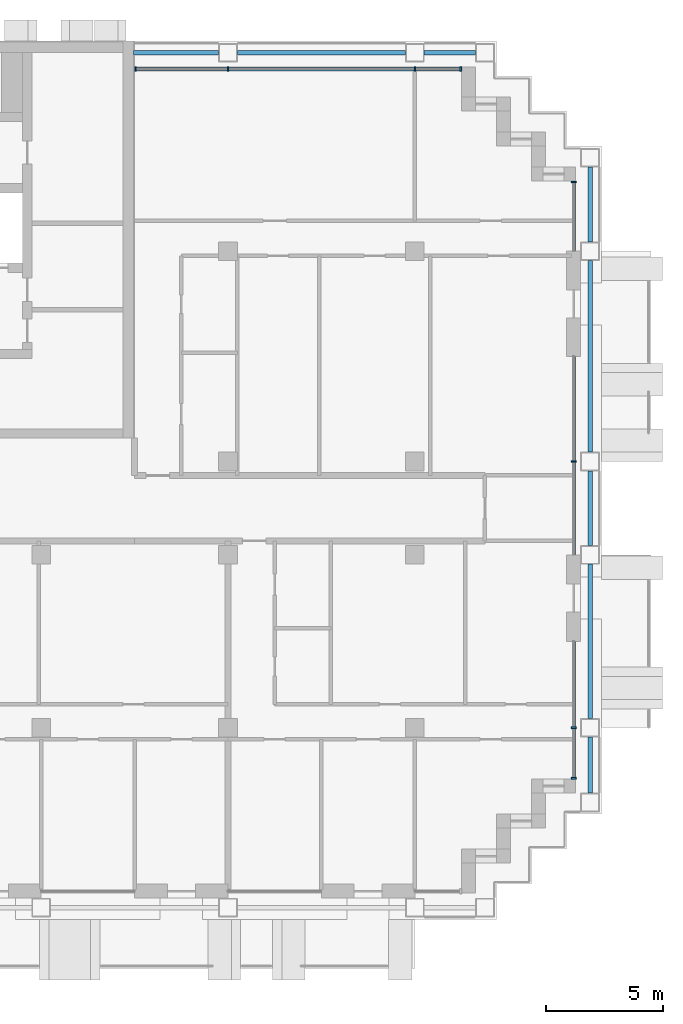
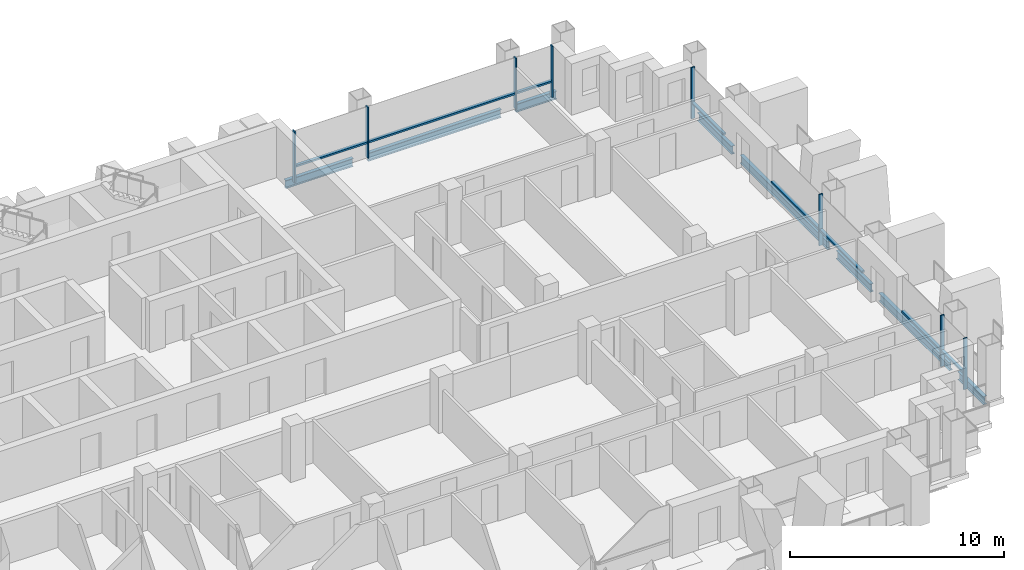
# One storey, part 5 of 16: 16 members, 8 beams, 4 elements without a shape of their own.
"""IFC4 building model written with IfcOpenShell, lengths in metres."""

from ifc_helpers import new_model, si_unit, direction, frame, origin, origin_2d, place, context, subcontext, project, spatial, rectangle, i_section, extrude, material, material_profile, profile_set, type_object, element, aggregate, save


model = new_model("IFC4")

# Units and contexts
model_context = context("Model", 3, precision=1e-05, world=origin(), true_north=direction((0.0, 1.0)))
body_context = subcontext(model_context, "Body", "Model", "MODEL_VIEW")
ifc_project = project(units=[si_unit("LENGTHUNIT", "METRE"), si_unit("AREAUNIT", "SQUARE_METRE"), si_unit("VOLUMEUNIT", "CUBIC_METRE"), si_unit("PLANEANGLEUNIT", "RADIAN"), si_unit("MASSUNIT", "GRAM", prefix="KILO")], contexts=[model_context])

# Site, building, storey
site_placement = place(None, origin())
site = spatial("IfcSite", under=ifc_project, at=site_placement, CompositionType="ELEMENT")
building_placement = place(site_placement, origin())
building = spatial("IfcBuilding", under=site, at=building_placement, Name="Vidyagriha Tower", CompositionType="ELEMENT")
storey_placement = place(building_placement, frame((0.0, 0.0, 145.39990234375)))
storey = spatial("IfcBuildingStorey", under=building, at=storey_placement, Name="L38", CompositionType="ELEMENT", Elevation=145.39990234375)

# Beams
ifc_material_1 = material(Name="Steel ASTM A992 Grade 50", Category="steel")
ifc_material_profile_1 = material_profile(ifc_material_1, i_section(OverallWidth=0.19189453125, OverallDepth=0.46240234375, WebThickness=0.010498046875, FlangeThickness=0.017578125, at=origin_2d()), Name="W18X60")
ifc_profile_set_1 = profile_set([ifc_material_profile_1], Name="Steel ASTM A992 Grade 50")
beam_type = type_object("IfcBeamType", Name="Edge beam W18X60", PredefinedType="SPANDREL", material=ifc_profile_set_1)
beam_1_placement = place(storey_placement, frame((33.5, -12.199951171875, -0.510986328125), z_axis=(0.0, 1.0, 0.0), x_axis=(-1.0, 0.0, 0.0)))
element("IfcBeam", 1, at=beam_1_placement, inside=storey, type_object=beam_type, Name="st-beam-L38-E14", PredefinedType="SPANDREL", context=body_context, shape_type="SweptSolid", body=[
    extrude(i_section(OverallWidth=0.19189453125, OverallDepth=0.46240234375, WebThickness=0.010498046875, FlangeThickness=0.017578125, at=origin_2d()), origin(), (0.0, 0.0, 1.0), 2.39990234375),
])
beam_2_placement = place(storey_placement, frame((33.5, -9.0, -0.510986328125), z_axis=(0.0, 1.0, 0.0), x_axis=(-1.0, 0.0, 0.0)))
element("IfcBeam", 2, at=beam_2_placement, inside=storey, type_object=beam_type, Name="st-beam-L38-E15", PredefinedType="SPANDREL", context=body_context, shape_type="SweptSolid", body=[
    extrude(i_section(OverallWidth=0.19189453125, OverallDepth=0.46240234375, WebThickness=0.010498046875, FlangeThickness=0.017578125, at=origin_2d()), origin(), (0.0, 0.0, 1.0), 6.60009765625),
])
beam_3_placement = place(storey_placement, frame((33.5, -1.60009765625, -0.510986328125), z_axis=(0.0, 1.0, 0.0), x_axis=(-1.0, 0.0, 0.0)))
element("IfcBeam", 3, at=beam_3_placement, inside=storey, type_object=beam_type, Name="st-beam-L38-E16", PredefinedType="SPANDREL", context=body_context, shape_type="SweptSolid", body=[
    extrude(i_section(OverallWidth=0.19189453125, OverallDepth=0.46240234375, WebThickness=0.010498046875, FlangeThickness=0.017578125, at=origin_2d()), origin(), (0.0, 0.0, 1.0), 3.2001953125),
])
beam_4_placement = place(storey_placement, frame((33.5, 2.39990234375, -0.510986328125), z_axis=(0.0, 1.0, 0.0), x_axis=(-1.0, 0.0, 0.0)))
element("IfcBeam", 4, at=beam_4_placement, inside=storey, type_object=beam_type, Name="st-beam-L38-E17", PredefinedType="SPANDREL", context=body_context, shape_type="SweptSolid", body=[
    extrude(i_section(OverallWidth=0.19189453125, OverallDepth=0.46240234375, WebThickness=0.010498046875, FlangeThickness=0.017578125, at=origin_2d()), origin(), (0.0, 0.0, 1.0), 8.2001953125),
])
beam_5_placement = place(storey_placement, frame((33.5, 11.39990234375, -0.510986328125), z_axis=(0.0, 1.0, 0.0), x_axis=(-1.0, 0.0, 0.0)))
element("IfcBeam", 5, at=beam_5_placement, inside=storey, type_object=beam_type, Name="st-beam-L38-E18", PredefinedType="SPANDREL", context=body_context, shape_type="SweptSolid", body=[
    extrude(i_section(OverallWidth=0.19189453125, OverallDepth=0.46240234375, WebThickness=0.010498046875, FlangeThickness=0.017578125, at=origin_2d()), origin(), (0.0, 0.0, 1.0), 3.2001953125),
])
beam_6_placement = place(storey_placement, frame((18.39990234375, 19.5, -0.510986328125), z_axis=(1.0, 0.0, 0.0), x_axis=(0.0, 1.0, 0.0)))
element("IfcBeam", 6, at=beam_6_placement, inside=storey, type_object=beam_type, Name="st-beam-L38-NE20", PredefinedType="SPANDREL", context=body_context, shape_type="SweptSolid", body=[
    extrude(i_section(OverallWidth=0.19189453125, OverallDepth=0.46240234375, WebThickness=0.010498046875, FlangeThickness=0.017578125, at=origin_2d()), origin(), (0.0, 0.0, 1.0), 7.2001953125),
])
beam_7_placement = place(storey_placement, frame((26.39990234375, 19.5, -0.510986328125), z_axis=(1.0, 0.0, 0.0), x_axis=(0.0, 1.0, 0.0)))
element("IfcBeam", 7, at=beam_7_placement, inside=storey, type_object=beam_type, Name="st-beam-L38-NE21", PredefinedType="SPANDREL", context=body_context, shape_type="SweptSolid", body=[
    extrude(i_section(OverallWidth=0.19189453125, OverallDepth=0.46240234375, WebThickness=0.010498046875, FlangeThickness=0.017578125, at=origin_2d()), origin(), (0.0, 0.0, 1.0), 2.2001953125),
])
beam_8_placement = place(storey_placement, frame((13.949951171875, 19.5, -0.510986328125), z_axis=(1.0, 0.0, 0.0), x_axis=(0.0, 1.0, 0.0)))
element("IfcBeam", 8, at=beam_8_placement, inside=storey, type_object=beam_type, Name="st-beam-L38-NC23", PredefinedType="SPANDREL", context=body_context, shape_type="SweptSolid", body=[
    extrude(i_section(OverallWidth=0.19189453125, OverallDepth=0.46240234375, WebThickness=0.010498046875, FlangeThickness=0.017578125, at=origin_2d()), origin(), (0.0, 0.0, 1.0), 3.650146484375),
])

# Curtain wall, members
ifc_material_2 = material(Name="Aluminium and glass curtain wall", Category="aluminium")
curtain_wall_type = type_object("IfcCurtainWallType", Name="Dwelling skin unitised curtain wall", PredefinedType="USERDEFINED", material=ifc_material_2)
curtain_wall_1_placement = place(storey_placement, origin())
curtain_wall_1 = element("IfcCurtainWall", 9, at=curtain_wall_1_placement, inside=storey, type_object=curtain_wall_type, Name="CW1 dwelling skin", ObjectType="UNITISED", PredefinedType="USERDEFINED")
ifc_material_3 = material(Name="Aluminium black anodised", Category="aluminium")
ifc_material_profile_2 = material_profile(ifc_material_3, rectangle(XDim=0.199951171875, YDim=0.070068359375, at=origin_2d()), Name="Mullion 70x200 black aluminium")
ifc_profile_set_2 = profile_set([ifc_material_profile_2], Name="Aluminium black anodised")
member_type_1 = type_object("IfcMemberType", Name="Mullion 70x200 black aluminium", PredefinedType="MULLION", material=ifc_profile_set_2)
member_1_placement = place(storey_placement, frame((27.965087890625, 18.800048828125, 0.0), z_axis=(0.0, 0.0, 1.0), x_axis=(0.0, -1.0, 0.0)))
member_1 = element("IfcMember", 10, at=member_1_placement, type_object=member_type_1, Name="CW1 mullion 1", PredefinedType="MULLION", context=body_context, shape_type="SweptSolid", body=[
    extrude(rectangle(XDim=0.199951171875, YDim=0.070068359375, at=origin_2d()), origin(), (0.0, 0.0, 1.0), 2.920166015625),
])
member_2_placement = place(storey_placement, frame((26.0, 18.800048828125, 0.0), z_axis=(0.0, 0.0, 1.0), x_axis=(0.0, -1.0, 0.0)))
member_2 = element("IfcMember", 11, at=member_2_placement, type_object=member_type_1, Name="CW1 mullion 2", PredefinedType="MULLION", context=body_context, shape_type="SweptSolid", body=[
    extrude(rectangle(XDim=0.199951171875, YDim=0.070068359375, at=origin_2d()), origin(), (0.0, 0.0, 1.0), 2.920166015625),
])
member_3_placement = place(storey_placement, frame((18.0, 18.800048828125, 0.0), z_axis=(0.0, 0.0, 1.0), x_axis=(0.0, -1.0, 0.0)))
member_3 = element("IfcMember", 12, at=member_3_placement, type_object=member_type_1, Name="CW1 mullion 3", PredefinedType="MULLION", context=body_context, shape_type="SweptSolid", body=[
    extrude(rectangle(XDim=0.199951171875, YDim=0.070068359375, at=origin_2d()), origin(), (0.0, 0.0, 1.0), 2.920166015625),
])
member_4_placement = place(storey_placement, frame((14.034912109375, 18.800048828125, 0.0), z_axis=(0.0, 0.0, 1.0), x_axis=(0.0, -1.0, 0.0)))
member_4 = element("IfcMember", 13, at=member_4_placement, type_object=member_type_1, Name="CW1 mullion 4", PredefinedType="MULLION", context=body_context, shape_type="SweptSolid", body=[
    extrude(rectangle(XDim=0.199951171875, YDim=0.070068359375, at=origin_2d()), origin(), (0.0, 0.0, 1.0), 2.920166015625),
])

curtain_wall_2_placement = place(storey_placement, origin())
curtain_wall_2 = element("IfcCurtainWall", 14, at=curtain_wall_2_placement, inside=storey, type_object=curtain_wall_type, Name="CW1 dwelling skin", ObjectType="UNITISED", PredefinedType="USERDEFINED")
member_5_placement = place(storey_placement, frame((32.800048828125, -11.56494140625, 0.0), z_axis=(0.0, 0.0, 1.0), x_axis=(-1.0, 0.0, 0.0)))
member_5 = element("IfcMember", 15, at=member_5_placement, type_object=member_type_1, Name="CW1 mullion 1", PredefinedType="MULLION", context=body_context, shape_type="SweptSolid", body=[
    extrude(rectangle(XDim=0.199951171875, YDim=0.070068359375, at=origin_2d()), origin(), (0.0, 0.0, 1.0), 2.920166015625),
])
member_6_placement = place(storey_placement, frame((32.800048828125, -9.39990234375, 0.0), z_axis=(0.0, 0.0, 1.0), x_axis=(-1.0, 0.0, 0.0)))
member_6 = element("IfcMember", 16, at=member_6_placement, type_object=member_type_1, Name="CW1 mullion 2", PredefinedType="MULLION", context=body_context, shape_type="SweptSolid", body=[
    extrude(rectangle(XDim=0.199951171875, YDim=0.070068359375, at=origin_2d()), origin(), (0.0, 0.0, 1.0), 2.920166015625),
])

# Curtain wall, member
curtain_wall_3_placement = place(storey_placement, origin())
curtain_wall_3 = element("IfcCurtainWall", 17, at=curtain_wall_3_placement, inside=storey, type_object=curtain_wall_type, Name="CW1 dwelling skin", ObjectType="UNITISED", PredefinedType="USERDEFINED")
member_7_placement = place(storey_placement, frame((32.800048828125, 2.0, 0.0), z_axis=(0.0, 0.0, 1.0), x_axis=(-1.0, 0.0, 0.0)))
member_7 = element("IfcMember", 18, at=member_7_placement, type_object=member_type_1, Name="CW1 mullion 2", PredefinedType="MULLION", context=body_context, shape_type="SweptSolid", body=[
    extrude(rectangle(XDim=0.199951171875, YDim=0.070068359375, at=origin_2d()), origin(), (0.0, 0.0, 1.0), 2.920166015625),
])

curtain_wall_4_placement = place(storey_placement, origin())
curtain_wall_4 = element("IfcCurtainWall", 19, at=curtain_wall_4_placement, inside=storey, type_object=curtain_wall_type, Name="CW1 dwelling skin", ObjectType="UNITISED", PredefinedType="USERDEFINED")
member_8_placement = place(storey_placement, frame((32.800048828125, 13.965087890625, 0.0), z_axis=(0.0, 0.0, 1.0), x_axis=(-1.0, 0.0, 0.0)))
member_8 = element("IfcMember", 20, at=member_8_placement, type_object=member_type_1, Name="CW1 mullion 2", PredefinedType="MULLION", context=body_context, shape_type="SweptSolid", body=[
    extrude(rectangle(XDim=0.199951171875, YDim=0.070068359375, at=origin_2d()), origin(), (0.0, 0.0, 1.0), 2.920166015625),
])

# Member
ifc_material_4 = material(Name="Aluminium black anodised", Category="aluminium")
ifc_material_profile_3 = material_profile(ifc_material_4, rectangle(XDim=0.159912109375, YDim=0.10009765625, at=origin_2d()), Name="Transom 100x160 black aluminium")
ifc_profile_set_3 = profile_set([ifc_material_profile_3], Name="Aluminium black anodised")
member_type_2 = type_object("IfcMemberType", Name="Transom 100x160 black aluminium", PredefinedType="USERDEFINED", material=ifc_profile_set_3)
member_9_placement = place(storey_placement, frame((27.929931640625, 18.800048828125, 0.900146484375), z_axis=(-1.0, 0.0, 0.0), x_axis=(0.0, -1.0, 0.0)))
member_9 = element("IfcMember", 21, at=member_9_placement, type_object=member_type_2, Name="CW1 transom 1.1", ObjectType="TRANSOM", PredefinedType="USERDEFINED", context=body_context, shape_type="SweptSolid", body=[
    extrude(rectangle(XDim=0.159912109375, YDim=0.10009765625, at=origin_2d()), origin(), (0.0, 0.0, 1.0), 1.89501953125),
])

member_10_placement = place(storey_placement, frame((25.965087890625, 18.800048828125, 0.900146484375), z_axis=(-1.0, 0.0, 0.0), x_axis=(0.0, -1.0, 0.0)))
member_10 = element("IfcMember", 22, at=member_10_placement, type_object=member_type_2, Name="CW1 transom 2.1", ObjectType="TRANSOM", PredefinedType="USERDEFINED", context=body_context, shape_type="SweptSolid", body=[
    extrude(rectangle(XDim=0.159912109375, YDim=0.10009765625, at=origin_2d()), origin(), (0.0, 0.0, 1.0), 7.93017578125),
])

member_11_placement = place(storey_placement, frame((17.965087890625, 18.800048828125, 0.900146484375), z_axis=(-1.0, 0.0, 0.0), x_axis=(0.0, -1.0, 0.0)))
member_11 = element("IfcMember", 23, at=member_11_placement, type_object=member_type_2, Name="CW1 transom 3.1", ObjectType="TRANSOM", PredefinedType="USERDEFINED", context=body_context, shape_type="SweptSolid", body=[
    extrude(rectangle(XDim=0.159912109375, YDim=0.10009765625, at=origin_2d()), origin(), (0.0, 0.0, 1.0), 3.89501953125),
])

aggregate(curtain_wall_1, [member_1, member_2, member_3, member_4, member_9, member_10, member_11])

member_12_placement = place(storey_placement, frame((32.800048828125, -11.530029296875, 0.900146484375), z_axis=(0.0, 1.0, 0.0), x_axis=(-1.0, 0.0, 0.0)))
member_12 = element("IfcMember", 24, at=member_12_placement, type_object=member_type_2, Name="CW1 transom 1.1", ObjectType="TRANSOM", PredefinedType="USERDEFINED", context=body_context, shape_type="SweptSolid", body=[
    extrude(rectangle(XDim=0.159912109375, YDim=0.10009765625, at=origin_2d()), origin(), (0.0, 0.0, 1.0), 2.094970703125),
])

member_13_placement = place(storey_placement, frame((32.800048828125, -9.364990234375, 0.900146484375), z_axis=(0.0, 1.0, 0.0), x_axis=(-1.0, 0.0, 0.0)))
member_13 = element("IfcMember", 25, at=member_13_placement, type_object=member_type_2, Name="CW1 transom 2.1", ObjectType="TRANSOM", PredefinedType="USERDEFINED", context=body_context, shape_type="SweptSolid", body=[
    extrude(rectangle(XDim=0.159912109375, YDim=0.10009765625, at=origin_2d()), origin(), (0.0, 0.0, 1.0), 3.6650390625),
])

aggregate(curtain_wall_2, [member_5, member_6, member_12, member_13])

member_14_placement = place(storey_placement, frame((32.800048828125, -2.0, 0.900146484375), z_axis=(0.0, 1.0, 0.0), x_axis=(-1.0, 0.0, 0.0)))
member_14 = element("IfcMember", 26, at=member_14_placement, type_object=member_type_2, Name="CW1 transom 1.1", ObjectType="TRANSOM", PredefinedType="USERDEFINED", context=body_context, shape_type="SweptSolid", body=[
    extrude(rectangle(XDim=0.159912109375, YDim=0.10009765625, at=origin_2d()), origin(), (0.0, 0.0, 1.0), 3.965087890625),
])

member_15_placement = place(storey_placement, frame((32.800048828125, 2.034912109375, 0.900146484375), z_axis=(0.0, 1.0, 0.0), x_axis=(-1.0, 0.0, 0.0)))
member_15 = element("IfcMember", 27, at=member_15_placement, type_object=member_type_2, Name="CW1 transom 2.1", ObjectType="TRANSOM", PredefinedType="USERDEFINED", context=body_context, shape_type="SweptSolid", body=[
    extrude(rectangle(XDim=0.159912109375, YDim=0.10009765625, at=origin_2d()), origin(), (0.0, 0.0, 1.0), 4.465087890625),
])

aggregate(curtain_wall_3, [member_7, member_14, member_15])

member_16_placement = place(storey_placement, frame((32.800048828125, 11.0, 0.900146484375), z_axis=(0.0, 1.0, 0.0), x_axis=(-1.0, 0.0, 0.0)))
member_16 = element("IfcMember", 28, at=member_16_placement, type_object=member_type_2, Name="CW1 transom 1.1", ObjectType="TRANSOM", PredefinedType="USERDEFINED", context=body_context, shape_type="SweptSolid", body=[
    extrude(rectangle(XDim=0.159912109375, YDim=0.10009765625, at=origin_2d()), origin(), (0.0, 0.0, 1.0), 2.929931640625),
])

aggregate(curtain_wall_4, [member_8, member_16])

save(model, "model.ifc")
